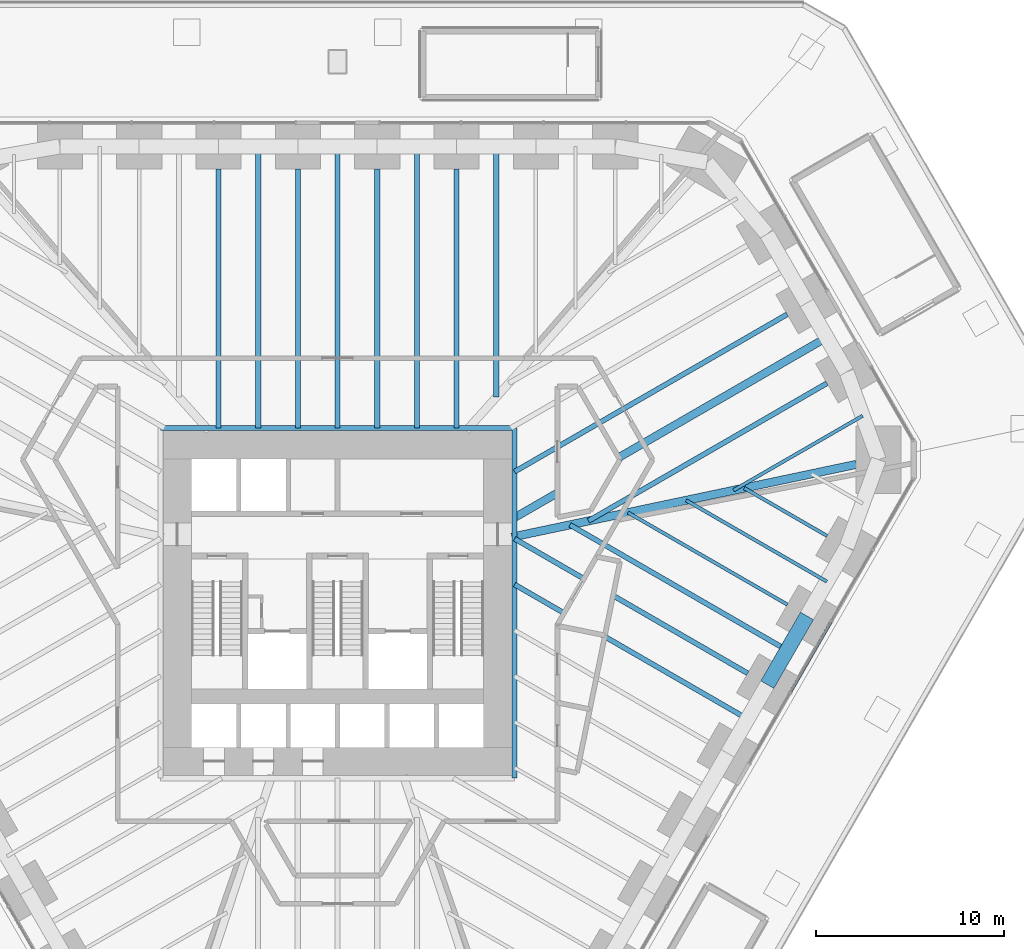
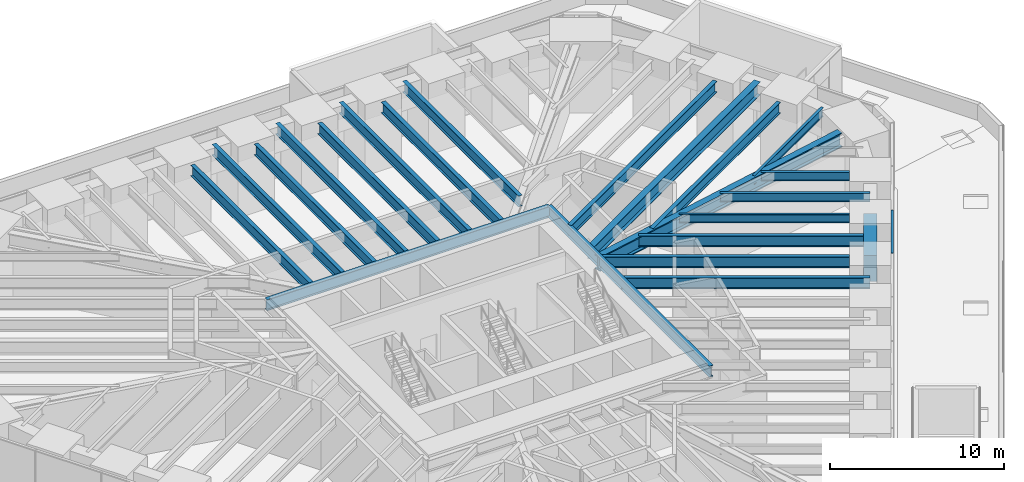
# One storey, part 6 of 20: 22 beams, 1 member, 1 element without a shape of its own.
"""IFC4 building model written with IfcOpenShell, lengths in metres."""

from ifc_helpers import new_model, si_unit, direction, frame, origin, origin_2d, place, context, subcontext, project, spatial, rectangle, i_section, extrude, material, material_profile, profile_set, type_object, element, aggregate, save


model = new_model("IFC4")

# Units and contexts
model_context = context("Model", 3, precision=1e-05, world=origin(), true_north=direction((0.0, 1.0)))
body_context = subcontext(model_context, "Body", "Model", "MODEL_VIEW")
ifc_project = project(units=[si_unit("LENGTHUNIT", "METRE"), si_unit("AREAUNIT", "SQUARE_METRE"), si_unit("VOLUMEUNIT", "CUBIC_METRE"), si_unit("PLANEANGLEUNIT", "RADIAN"), si_unit("MASSUNIT", "GRAM", prefix="KILO")], contexts=[model_context])

# Site, building, storey
site_placement = place(None, origin())
site = spatial("IfcSite", under=ifc_project, at=site_placement, CompositionType="ELEMENT")
building_placement = place(site_placement, origin())
building = spatial("IfcBuilding", under=site, at=building_placement, Name="Sandreach Pilgrim Tower", CompositionType="ELEMENT")
storey_placement = place(building_placement, frame((0.0, 0.0, 18.0)))
storey = spatial("IfcBuildingStorey", under=building, at=storey_placement, Name="L03", CompositionType="ELEMENT", Elevation=18.0)

# Curtain wall, member
ifc_material_1 = material(Name="Aluminium framed curtain wall", Category="aluminium")
curtain_wall_type = type_object("IfcCurtainWallType", Name="Podium storefront curtain wall", PredefinedType="NOTDEFINED", material=ifc_material_1)
curtain_wall_placement = place(storey_placement, origin())
curtain_wall = element("IfcCurtainWall", 1, at=curtain_wall_placement, inside=storey, type_object=curtain_wall_type, Name="CW-P L03 SEA", PredefinedType="NOTDEFINED")
ifc_material_2 = material(Name="Aluminium extrusion", Category="aluminium")
ifc_material_profile_1 = material_profile(ifc_material_2, rectangle(XDim=0.159912109375, YDim=0.070068359375, at=origin_2d()), Name="CW-PT 160X70")
ifc_profile_set_1 = profile_set([ifc_material_profile_1], Name="Aluminium extrusion")
member_type = type_object("IfcMemberType", Name="CW-P transom", PredefinedType="USERDEFINED", material=ifc_profile_set_1)
member_placement = place(storey_placement, frame((26.187255859375, -2.5400390625, 4.804931640625), z_axis=(-0.500033611107, -0.866005997533, 0.0), x_axis=(0.866005997533, -0.500033611107, 0.0)))
member = element("IfcMember", 2, at=member_placement, type_object=member_type, Name="CW-P head transom 3", ObjectType="TRANSOM", PredefinedType="USERDEFINED", context=body_context, shape_type="SweptSolid", body=[
    extrude(rectangle(XDim=0.159912109375, YDim=0.070068359375, at=origin_2d()), origin(), (0.0, 0.0, 1.0), 4.301513671875),
])
aggregate(curtain_wall, [member])

# Beams
ifc_material_3 = material(Name="Steel ASTM A992 Grade 50", Category="steel")
ifc_material_profile_2 = material_profile(ifc_material_3, i_section(OverallWidth=0.2666015625, OverallDepth=0.77978515625, WebThickness=0.0166015625, FlangeThickness=0.030029296875, at=origin_2d()), Name="W30X148")
ifc_profile_set_2 = profile_set([ifc_material_profile_2], Name="Steel ASTM A992 Grade 50")
beam_type_1 = type_object("IfcBeamType", Name="Core edge beam W30X148", PredefinedType="BEAM", material=ifc_profile_set_2)
beam_1_placement = place(storey_placement, frame((-9.393310546875, 7.743408203125, 4.4501953125), z_axis=(1.0, 0.0, 0.0), x_axis=(0.0, 1.0, 0.0)))
element("IfcBeam", 3, at=beam_1_placement, inside=storey, type_object=beam_type_1, Name="BM L03 CEN", PredefinedType="BEAM", context=body_context, shape_type="SweptSolid", body=[
    extrude(i_section(OverallWidth=0.2666015625, OverallDepth=0.77978515625, WebThickness=0.0166015625, FlangeThickness=0.030029296875, at=origin_2d()), origin(), (0.0, 0.0, 1.0), 18.78662109375),
])
beam_2_placement = place(storey_placement, frame((9.393310546875, 7.743408203125, 4.4501953125), z_axis=(0.0, -1.0, 0.0), x_axis=(1.0, 0.0, 0.0)))
element("IfcBeam", 4, at=beam_2_placement, inside=storey, type_object=beam_type_1, Name="BM L03 CEE", PredefinedType="BEAM", context=body_context, shape_type="SweptSolid", body=[
    extrude(i_section(OverallWidth=0.2666015625, OverallDepth=0.77978515625, WebThickness=0.0166015625, FlangeThickness=0.030029296875, at=origin_2d()), origin(), (0.0, 0.0, 1.0), 18.586669921875),
])
ifc_material_4 = material(Name="Steel ASTM A992 Grade 50", Category="steel")
ifc_material_profile_3 = material_profile(ifc_material_4, i_section(OverallWidth=0.436767578125, OverallDepth=1.010986328125, WebThickness=0.040771484375, FlangeThickness=0.073974609375, at=origin_2d()), Name="W36X529")
ifc_profile_set_3 = profile_set([ifc_material_profile_3], Name="Steel ASTM A992 Grade 50")
beam_type_2 = type_object("IfcBeamType", Name="Corner girder W36X529", PredefinedType="BEAM", material=ifc_profile_set_3)
beam_3_placement = place(storey_placement, frame((27.53857421875, 5.814208984375, 4.33447265625), z_axis=(-0.978429884383, -0.206579189045, 0.0), x_axis=(0.206579189045, -0.978429884383, 0.0)))
element("IfcBeam", 5, at=beam_3_placement, inside=storey, type_object=beam_type_2, Name="BM L03 CG13", PredefinedType="BEAM", context=body_context, shape_type="SweptSolid", body=[
    extrude(i_section(OverallWidth=0.436767578125, OverallDepth=1.010986328125, WebThickness=0.040771484375, FlangeThickness=0.073974609375, at=origin_2d()), origin(), (0.0, 0.0, 1.0), 18.691650390625),
])
ifc_material_5 = material(Name="Steel ASTM A992 Grade 50", Category="steel")
ifc_material_profile_4 = material_profile(ifc_material_5, i_section(OverallWidth=0.1787109375, OverallDepth=0.60205078125, WebThickness=0.010986328125, FlangeThickness=0.014892578125, at=origin_2d()), Name="W24X62")
ifc_profile_set_4 = profile_set([ifc_material_profile_4], Name="Steel ASTM A992 Grade 50")
beam_type_3 = type_object("IfcBeamType", Name="Floor beam W24X62", PredefinedType="BEAM", material=ifc_profile_set_4)
beam_4_placement = place(storey_placement, frame((25.97705078125, 2.016357421875, 4.5390625), z_axis=(-0.866027897259, 0.49999568115, 0.0), x_axis=(-0.49999568115, -0.866027897259, 0.0)))
element("IfcBeam", 6, at=beam_4_placement, inside=storey, type_object=beam_type_3, Name="BM L03 F14", PredefinedType="BEAM", context=body_context, shape_type="SweptSolid", body=[
    extrude(i_section(OverallWidth=0.1787109375, OverallDepth=0.60205078125, WebThickness=0.010986328125, FlangeThickness=0.014892578125, at=origin_2d()), origin(), (0.0, 0.0, 1.0), 5.0791015625),
])
beam_5_placement = place(storey_placement, frame((23.8720703125, -1.629638671875, 4.5390625), z_axis=(-0.866025751498, 0.499999397742, 0.0), x_axis=(-0.499999397742, -0.866025751498, 0.0)))
element("IfcBeam", 7, at=beam_5_placement, inside=storey, type_object=beam_type_3, Name="BM L03 F15", PredefinedType="BEAM", context=body_context, shape_type="SweptSolid", body=[
    extrude(i_section(OverallWidth=0.1787109375, OverallDepth=0.60205078125, WebThickness=0.010986328125, FlangeThickness=0.014892578125, at=origin_2d()), origin(), (0.0, 0.0, 1.0), 9.767578125),
])
beam_6_placement = place(storey_placement, frame((27.861328125, 8.390380859375, 4.5390625), z_axis=(-0.866028778003, -0.499994155636, 0.0), x_axis=(0.499994155636, -0.866028778003, 0.0)))
element("IfcBeam", 8, at=beam_6_placement, inside=storey, type_object=beam_type_3, Name="BM L03 FM12", PredefinedType="BEAM", context=body_context, shape_type="SweptSolid", body=[
    extrude(i_section(OverallWidth=0.1787109375, OverallDepth=0.60205078125, WebThickness=0.010986328125, FlangeThickness=0.014892578125, at=origin_2d()), origin(), (0.0, 0.0, 1.0), 7.90771484375),
])
beam_7_placement = place(storey_placement, frame((25.9638671875, -0.40673828125, 4.5390625), z_axis=(-0.866020100198, 0.500009185969, 0.0), x_axis=(-0.500009185969, -0.866020100198, 0.0)))
element("IfcBeam", 9, at=beam_7_placement, inside=storey, type_object=beam_type_3, Name="BM L03 FM14", PredefinedType="BEAM", context=body_context, shape_type="SweptSolid", body=[
    extrude(i_section(OverallWidth=0.1787109375, OverallDepth=0.60205078125, WebThickness=0.010986328125, FlangeThickness=0.014892578125, at=origin_2d()), origin(), (0.0, 0.0, 1.0), 8.623291015625),
])
ifc_material_6 = material(Name="Steel ASTM A992 Grade 50", Category="steel")
ifc_material_profile_5 = material_profile(ifc_material_6, i_section(OverallWidth=0.2666015625, OverallDepth=0.761962890625, WebThickness=0.014404296875, FlangeThickness=0.021484375, at=origin_2d()), Name="W30X116")
ifc_profile_set_5 = profile_set([ifc_material_profile_5], Name="Steel ASTM A992 Grade 50")
beam_type_4 = type_object("IfcBeamType", Name="Floor beam W30X116", PredefinedType="BEAM", material=ifc_profile_set_5)
for number, where, z_axis, x_axis, name in (
    (10, (-6.31494140625, 21.48876953125, 4.458984375), (0.0, -1.0, 0.0), (1.0, 0.0, 0.0), "BM L03 F03"),
    (11, (-2.10498046875, 21.48876953125, 4.458984375), (0.0, -1.0, 0.0), (1.0, 0.0, 0.0), "BM L03 F04"),
    (12, (2.10498046875, 21.48876953125, 4.458984375), (0.0, -1.0, 0.0), (1.0, 0.0, 0.0), "BM L03 F05"),
    (13, (6.31494140625, 21.48876953125, 4.458984375), (0.0, -1.0, 0.0), (1.0, 0.0, 0.0), "BM L03 F06"),
):
    element("IfcBeam", number, at=place(storey_placement, frame(where, z_axis=z_axis, x_axis=x_axis)), inside=storey, type_object=beam_type_4, Name=name, PredefinedType="BEAM", context=body_context, shape_type="SweptSolid", body=[
        extrude(i_section(OverallWidth=0.2666015625, OverallDepth=0.761962890625, WebThickness=0.014404296875, FlangeThickness=0.021484375, at=origin_2d()), origin(), (0.0, 0.0, 1.0), 13.745361328125),
    ])
beam_8_placement = place(storey_placement, frame((25.970947265625, 10.118896484375, 4.458984375), z_axis=(-0.866020355572, -0.500008743658, 0.0), x_axis=(0.500008743658, -0.866020355572, 0.0)))
element("IfcBeam", 14, at=beam_8_placement, inside=storey, type_object=beam_type_4, Name="BM L03 F12", PredefinedType="BEAM", context=body_context, shape_type="SweptSolid", body=[
    extrude(i_section(OverallWidth=0.2666015625, OverallDepth=0.761962890625, WebThickness=0.014404296875, FlangeThickness=0.021484375, at=origin_2d()), origin(), (0.0, 0.0, 1.0), 14.615966796875),
])
beam_9_placement = place(storey_placement, frame((21.76708984375, -5.275390625, 4.458984375), z_axis=(-0.866024247282, 0.500002003116, 0.0), x_axis=(-0.500002003116, -0.866024247282, 0.0)))
element("IfcBeam", 15, at=beam_9_placement, inside=storey, type_object=beam_type_4, Name="BM L03 F16", PredefinedType="BEAM", context=body_context, shape_type="SweptSolid", body=[
    extrude(i_section(OverallWidth=0.2666015625, OverallDepth=0.761962890625, WebThickness=0.014404296875, FlangeThickness=0.021484375, at=origin_2d()), origin(), (0.0, 0.0, 1.0), 14.2880859375),
])
for number, where, z_axis, x_axis, name in (
    (16, (-4.2099609375, 22.688720703125, 4.458984375), (0.0, -1.0, 0.0), (1.0, 0.0, 0.0), "BM L03 FM03"),
    (17, (0.0, 22.688720703125, 4.458984375), (0.0, -1.0, 0.0), (1.0, 0.0, 0.0), "BM L03 FM04"),
    (18, (4.2099609375, 22.688720703125, 4.458984375), (0.0, -1.0, 0.0), (1.0, 0.0, 0.0), "BM L03 FM05"),
):
    element("IfcBeam", number, at=place(storey_placement, frame(where, z_axis=z_axis, x_axis=x_axis)), inside=storey, type_object=beam_type_4, Name=name, PredefinedType="BEAM", context=body_context, shape_type="SweptSolid", body=[
        extrude(i_section(OverallWidth=0.2666015625, OverallDepth=0.761962890625, WebThickness=0.014404296875, FlangeThickness=0.021484375, at=origin_2d()), origin(), (0.0, 0.0, 1.0), 14.9453125),
    ])
for number, where, z_axis, x_axis, name in (
    (19, (8.419921875, 22.688720703125, 4.458984375), (0.0, -1.0, 0.0), (1.0, 0.0, 0.0), "BM L03 FM06"),
    (20, (23.85888671875, -4.052490234375, 4.458984375), (-0.866029213426, 0.499993401449, 0.0), (-0.499993401449, -0.866029213426, 0.0), "BM L03 FM15"),
):
    element("IfcBeam", number, at=place(storey_placement, frame(where, z_axis=z_axis, x_axis=x_axis)), inside=storey, type_object=beam_type_4, Name=name, PredefinedType="BEAM", context=body_context, shape_type="SweptSolid", body=[
        extrude(i_section(OverallWidth=0.2666015625, OverallDepth=0.761962890625, WebThickness=0.014404296875, FlangeThickness=0.021484375, at=origin_2d()), origin(), (0.0, 0.0, 1.0), 13.311767578125),
    ])
beam_10_placement = place(storey_placement, frame((21.75390625, -7.698486328125, 4.458984375), z_axis=(-0.866022935671, 0.500004274874, 0.0), x_axis=(-0.500004274874, -0.866022935671, 0.0)))
element("IfcBeam", 21, at=beam_10_placement, inside=storey, type_object=beam_type_4, Name="BM L03 FM16", PredefinedType="BEAM", context=body_context, shape_type="SweptSolid", body=[
    extrude(i_section(OverallWidth=0.2666015625, OverallDepth=0.761962890625, WebThickness=0.014404296875, FlangeThickness=0.021484375, at=origin_2d()), origin(), (0.0, 0.0, 1.0), 14.27294921875),
])
ifc_material_7 = material(Name="Steel ASTM A992 Grade 50", Category="steel")
ifc_material_profile_6 = material_profile(ifc_material_7, i_section(OverallWidth=0.2666015625, OverallDepth=0.77978515625, WebThickness=0.0166015625, FlangeThickness=0.030029296875, at=origin_2d()), Name="W30X148")
ifc_profile_set_6 = profile_set([ifc_material_profile_6], Name="Steel ASTM A992 Grade 50")
beam_type_5 = type_object("IfcBeamType", Name="Floor beam W30X148", PredefinedType="BEAM", material=ifc_profile_set_6)
beam_11_placement = place(storey_placement, frame((23.85986328125, 13.775390625, 4.4501953125), z_axis=(-0.866031037473, -0.499990242038, 0.0), x_axis=(0.499990242038, -0.866031037473, 0.0)))
element("IfcBeam", 22, at=beam_11_placement, inside=storey, type_object=beam_type_5, Name="BM L03 F11", PredefinedType="BEAM", context=body_context, shape_type="SweptSolid", body=[
    extrude(i_section(OverallWidth=0.2666015625, OverallDepth=0.77978515625, WebThickness=0.0166015625, FlangeThickness=0.030029296875, at=origin_2d()), origin(), (0.0, 0.0, 1.0), 16.704345703125),
])
ifc_material_8 = material(Name="Steel ASTM A992 Grade 50", Category="steel")
ifc_material_profile_7 = material_profile(ifc_material_8, i_section(OverallWidth=0.419189453125, OverallDepth=0.927001953125, WebThickness=0.019287109375, FlangeThickness=0.031982421875, at=origin_2d()), Name="W36X231")
ifc_profile_set_7 = profile_set([ifc_material_profile_7], Name="Steel ASTM A992 Grade 50")
beam_type_6 = type_object("IfcBeamType", Name="Floor beam W36X231", PredefinedType="BEAM", material=ifc_profile_set_7)
beam_12_placement = place(storey_placement, frame((25.95458984375, 12.547119140625, 4.37646484375), z_axis=(-0.866028474707, -0.499994680968, 0.0), x_axis=(0.499994680968, -0.866028474707, 0.0)))
element("IfcBeam", 23, at=beam_12_placement, inside=storey, type_object=beam_type_6, Name="BM L03 FM11", PredefinedType="BEAM", context=body_context, shape_type="SweptSolid", body=[
    extrude(i_section(OverallWidth=0.419189453125, OverallDepth=0.927001953125, WebThickness=0.019287109375, FlangeThickness=0.031982421875, at=origin_2d()), origin(), (0.0, 0.0, 1.0), 19.123291015625),
])
ifc_material_9 = material(Name="Concrete 10000 psi", Category="concrete")
ifc_material_profile_8 = material_profile(ifc_material_9, rectangle(XDim=0.800048828125, YDim=1.800048828125, at=origin_2d()), Name="RC800X1800")
ifc_profile_set_8 = profile_set([ifc_material_profile_8], Name="Concrete 10000 psi")
beam_type_7 = type_object("IfcBeamType", Name="Spandrel beam RC800X1800", PredefinedType="SPANDREL", material=ifc_profile_set_8)
beam_13_placement = place(storey_placement, frame((24.911376953125, -2.229736328125, 3.93994140625), z_axis=(-0.50001863446, -0.866014644907, 0.0), x_axis=(0.866014644907, -0.50001863446, 0.0)))
element("IfcBeam", 24, at=beam_13_placement, inside=storey, type_object=beam_type_7, Name="BM L03 SP15", PredefinedType="SPANDREL", context=body_context, shape_type="SweptSolid", body=[
    extrude(rectangle(XDim=0.800048828125, YDim=1.800048828125, at=origin_2d()), origin(), (0.0, 0.0, 1.0), 4.209716796875),
])

save(model, "model.ifc")
